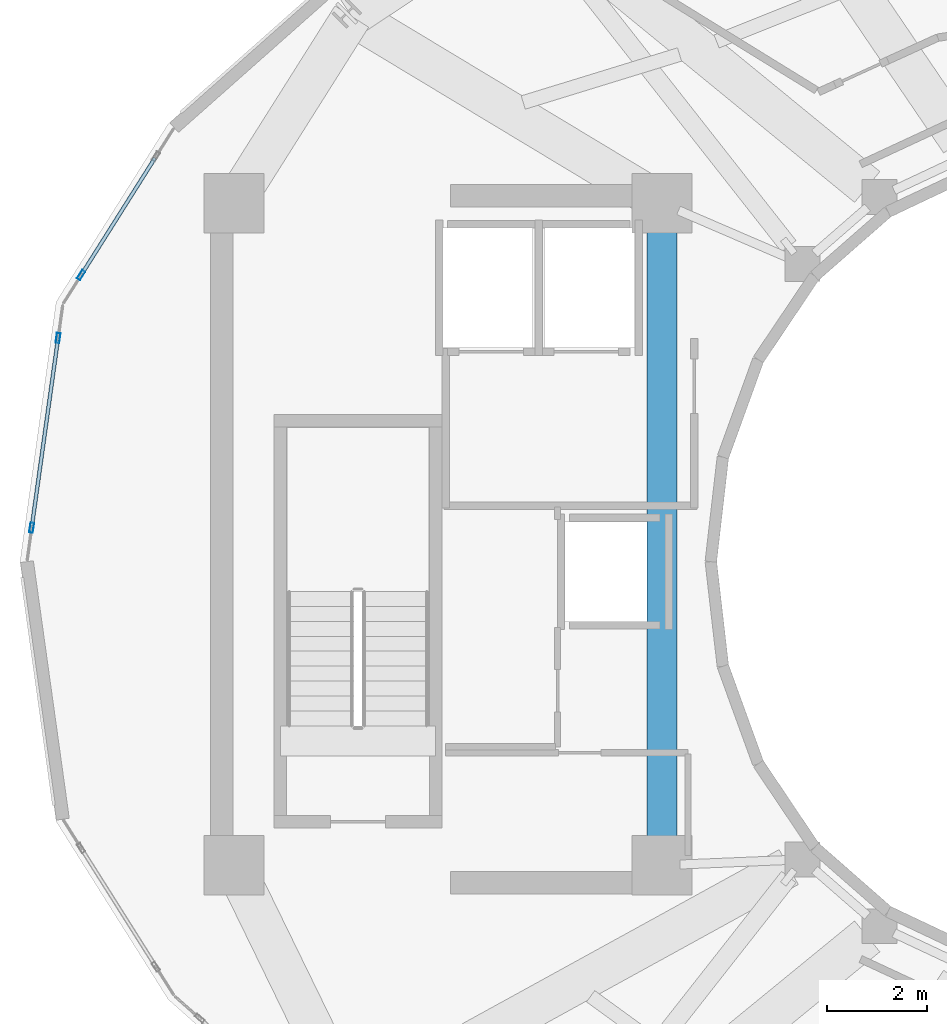
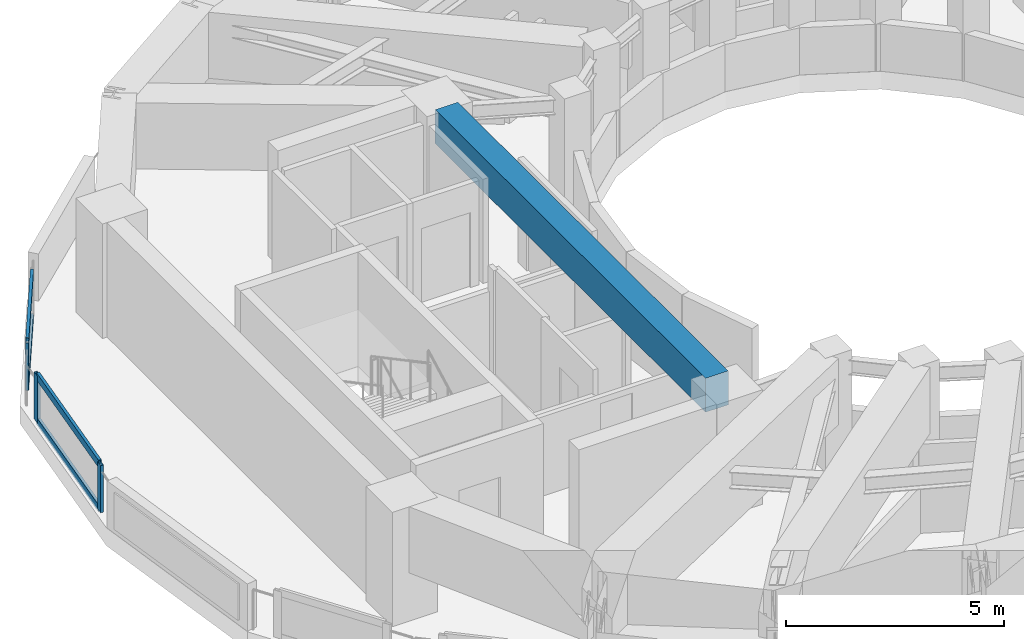
# One storey, part 8 of 21: 7 members, 1 beam, 2 elements without a shape of their own.
"""IFC4 building model written with IfcOpenShell, lengths in metres."""

from ifc_helpers import new_model, si_unit, direction, frame, origin, origin_2d, place, context, subcontext, project, spatial, rectangle, hollow_rectangle, extrude, material, layer, layer_set, material_profile, profile_set, type_object, element, aggregate, save


model = new_model("IFC4")

# Units and contexts
model_context = context("Model", 3, precision=1e-05, world=origin(), true_north=direction((0.0, 1.0)))
body_context = subcontext(model_context, "Body", "Model", "MODEL_VIEW")
ifc_project = project(units=[si_unit("LENGTHUNIT", "METRE"), si_unit("AREAUNIT", "SQUARE_METRE"), si_unit("VOLUMEUNIT", "CUBIC_METRE"), si_unit("PLANEANGLEUNIT", "RADIAN"), si_unit("MASSUNIT", "GRAM", prefix="KILO")], contexts=[model_context])

# Site, building, storey
site_placement = place(None, origin())
site = spatial("IfcSite", under=ifc_project, at=site_placement, CompositionType="ELEMENT")
building_placement = place(site_placement, origin())
building = spatial("IfcBuilding", under=site, at=building_placement, Name="Solvane Sanctuary Tower", CompositionType="ELEMENT")
storey_placement = place(building_placement, frame((0.0, 0.0, 260.39990234375)))
storey = spatial("IfcBuildingStorey", under=building, at=storey_placement, Name="L79", CompositionType="ELEMENT", Elevation=260.39990234375)

# Beam
ifc_material_1 = material(Name="Concrete C70/85", Category="concrete")
ifc_material_profile_1 = material_profile(ifc_material_1, rectangle(XDim=0.60009765625, YDim=0.949951171875, at=origin_2d()), Name="RC600X950")
ifc_profile_set_1 = profile_set([ifc_material_profile_1], Name="Concrete C70/85")
beam_type = type_object("IfcBeamType", Name="Beam B-COUPLE RC600X950", PredefinedType="LINTEL", material=ifc_profile_set_1)
beam_placement = place(storey_placement, frame((23.89990234375, 17.35009765625, 2.72509765625), z_axis=(0.0, 1.0, 0.0), x_axis=(-1.0, 0.0, 0.0)))
element("IfcBeam", 1, at=beam_placement, inside=storey, type_object=beam_type, Name="L79 West Core Coupling Lintel", PredefinedType="LINTEL", context=body_context, shape_type="SweptSolid", body=[
    extrude(rectangle(XDim=0.60009765625, YDim=0.949951171875, at=origin_2d()), origin(), (0.0, 0.0, 1.0), 12.39990234375),
])

# Curtain wall, member
ifc_material_2 = material(Name="Anodised Aluminium 6063-T6", Category="aluminium")
ifc_layer = layer(ifc_material_2, 0.219970703125, Name="Anodised Aluminium 6063-T6")
ifc_layer_set = layer_set([ifc_layer], Name="Anodised Aluminium 6063-T6")
curtain_wall_type = type_object("IfcCurtainWallType", Name="Curtain Wall CW-CROWN", PredefinedType="NOTDEFINED", material=ifc_layer_set)
curtain_wall_1_placement = place(storey_placement, origin())
curtain_wall_1 = element("IfcCurtainWall", 2, at=curtain_wall_1_placement, inside=storey, type_object=curtain_wall_type, Name="L79 Crown Fritted Lantern Curtain Wall 10", PredefinedType="NOTDEFINED")
ifc_material_profile_2 = material_profile(ifc_material_2, hollow_rectangle(XDim=0.074951171875, YDim=0.199951171875, WallThickness=0.00390625, at=origin_2d()), Name="ALU200X75X4")
ifc_profile_set_2 = profile_set([ifc_material_profile_2], Name="Anodised Aluminium 6063-T6")
member_type_1 = type_object("IfcMemberType", Name="Member M-CW-MUL-1 ALU200X75X4", PredefinedType="MULLION", material=ifc_profile_set_2)
member_1_placement = place(storey_placement, frame((12.227294921875, 28.755859375, 0.0), z_axis=(0.0, 0.0, 1.0), x_axis=(0.845808282613, -0.533486971784, 0.0)))
member_1 = element("IfcMember", 3, at=member_1_placement, type_object=member_type_1, Name="CW-CROWN mullion 2", PredefinedType="MULLION", context=body_context, shape_type="SweptSolid", body=[
    extrude(hollow_rectangle(XDim=0.074951171875, YDim=0.199951171875, WallThickness=0.00390625, at=origin_2d()), origin(), (0.0, 0.0, 1.0), 1.320068359375),
])

# Curtain wall, members
curtain_wall_2_placement = place(storey_placement, origin())
curtain_wall_2 = element("IfcCurtainWall", 4, at=curtain_wall_2_placement, inside=storey, type_object=curtain_wall_type, Name="L79 Crown Fritted Lantern Curtain Wall 11", PredefinedType="NOTDEFINED")
member_2_placement = place(storey_placement, frame((11.765869140625, 27.493408203125, 0.0), z_axis=(0.0, 0.0, 1.0), x_axis=(0.990440794692, -0.1379385088, 0.0)))
member_2 = element("IfcMember", 5, at=member_2_placement, type_object=member_type_1, Name="CW-CROWN mullion 1", PredefinedType="MULLION", context=body_context, shape_type="SweptSolid", body=[
    extrude(hollow_rectangle(XDim=0.074951171875, YDim=0.199951171875, WallThickness=0.00390625, at=origin_2d()), origin(), (0.0, 0.0, 1.0), 1.320068359375),
])
member_3_placement = place(storey_placement, frame((11.23486328125, 23.680908203125, 0.0), z_axis=(0.0, 0.0, 1.0), x_axis=(0.990440794692, -0.1379385088, 0.0)))
member_3 = element("IfcMember", 6, at=member_3_placement, type_object=member_type_1, Name="CW-CROWN mullion 2", PredefinedType="MULLION", context=body_context, shape_type="SweptSolid", body=[
    extrude(hollow_rectangle(XDim=0.074951171875, YDim=0.199951171875, WallThickness=0.00390625, at=origin_2d()), origin(), (0.0, 0.0, 1.0), 1.320068359375),
])

# Member
ifc_material_profile_3 = material_profile(ifc_material_2, hollow_rectangle(XDim=0.074951171875, YDim=0.199951171875, WallThickness=0.00390625, at=origin_2d()), Name="ALU200X75X4")
ifc_profile_set_3 = profile_set([ifc_material_profile_3], Name="Anodised Aluminium 6063-T6")
member_type_2 = type_object("IfcMemberType", Name="Member M-CW-TRN-2 ALU200X75X4", PredefinedType="USERDEFINED", material=ifc_profile_set_3)
member_4_placement = place(storey_placement, frame((13.710693359375, 31.107421875, 0.03759765625), z_axis=(-0.533530760469, -0.845780661657, 0.0), x_axis=(0.845780661657, -0.533530760469, 0.0)))
member_4 = element("IfcMember", 7, at=member_4_placement, type_object=member_type_2, Name="CW-CROWN transom 1.1", ObjectType="TRANSOM", PredefinedType="USERDEFINED", context=body_context, shape_type="SweptSolid", body=[
    extrude(hollow_rectangle(XDim=0.074951171875, YDim=0.199951171875, WallThickness=0.00390625, at=origin_2d()), origin(), (0.0, 0.0, 1.0), 2.742919921875),
])

member_5_placement = place(storey_placement, frame((13.710693359375, 31.107421875, 1.28271484375), z_axis=(-0.533530760469, -0.845780661657, 0.0), x_axis=(0.845780661657, -0.533530760469, 0.0)))
member_5 = element("IfcMember", 8, at=member_5_placement, type_object=member_type_2, Name="CW-CROWN transom 1.2", ObjectType="TRANSOM", PredefinedType="USERDEFINED", context=body_context, shape_type="SweptSolid", body=[
    extrude(hollow_rectangle(XDim=0.074951171875, YDim=0.199951171875, WallThickness=0.00390625, at=origin_2d()), origin(), (0.0, 0.0, 1.0), 2.742919921875),
])

aggregate(curtain_wall_1, [member_1, member_4, member_5])

member_6_placement = place(storey_placement, frame((11.7607421875, 27.456298828125, 0.03759765625), z_axis=(-0.137970270299, -0.990436370755, 0.0), x_axis=(0.990436370755, -0.137970270299, 0.0)))
member_6 = element("IfcMember", 9, at=member_6_placement, type_object=member_type_2, Name="CW-CROWN transom 1.1", ObjectType="TRANSOM", PredefinedType="USERDEFINED", context=body_context, shape_type="SweptSolid", body=[
    extrude(hollow_rectangle(XDim=0.074951171875, YDim=0.199951171875, WallThickness=0.00390625, at=origin_2d()), origin(), (0.0, 0.0, 1.0), 3.7744140625),
])

member_7_placement = place(storey_placement, frame((11.7607421875, 27.456298828125, 1.28271484375), z_axis=(-0.137970270299, -0.990436370755, 0.0), x_axis=(0.990436370755, -0.137970270299, 0.0)))
member_7 = element("IfcMember", 10, at=member_7_placement, type_object=member_type_2, Name="CW-CROWN transom 1.2", ObjectType="TRANSOM", PredefinedType="USERDEFINED", context=body_context, shape_type="SweptSolid", body=[
    extrude(hollow_rectangle(XDim=0.074951171875, YDim=0.199951171875, WallThickness=0.00390625, at=origin_2d()), origin(), (0.0, 0.0, 1.0), 3.7744140625),
])

aggregate(curtain_wall_2, [member_2, member_3, member_6, member_7])

save(model, "model.ifc")
